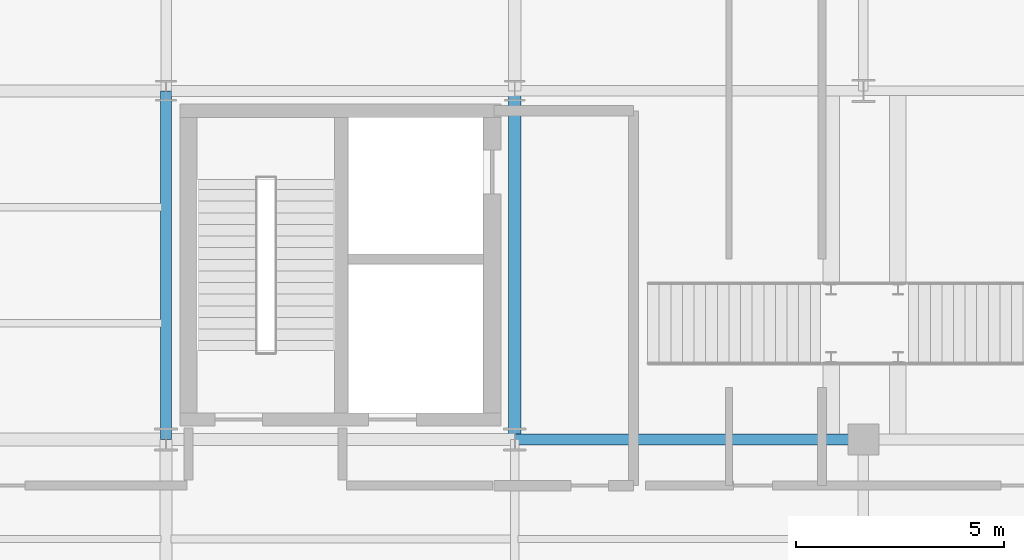
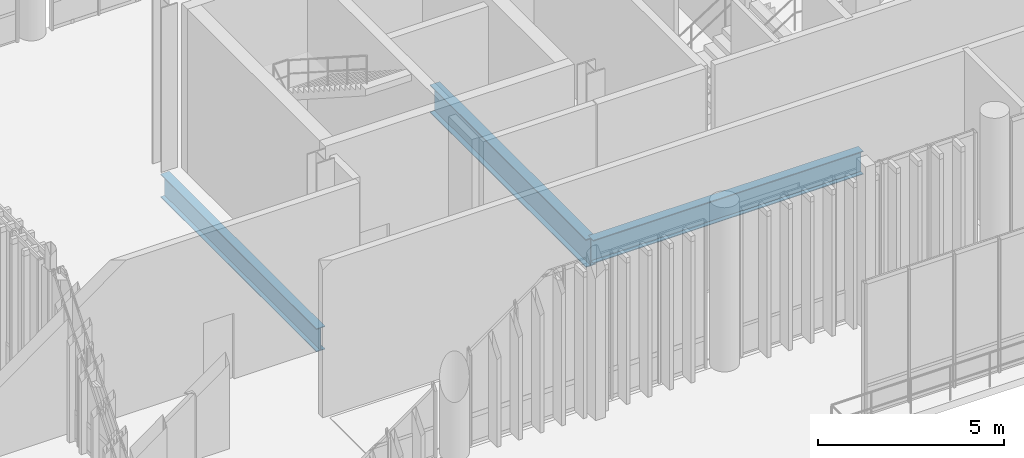
# One storey, part 41 of 128: 3 beams.
"""IFC4 building model written with IfcOpenShell, lengths in metres."""

import ifcopenshell
import ifcopenshell.guid

model = None  # the IFC model being written
_history = None  # IfcOwnerHistory: only IFC2X3 demands one
_inside = {}  # id of a spatial element -> (the spatial element, [elements in it])
_under = {}  # id of a project, library or spatial element -> (it, [spatial elements below it])
_declared = {}  # id of a project -> (the project, [libraries it declares])
_typed = {}  # id of a type object -> (the type object, [elements of that type])
_made_of = {}  # id of a material, layer set ... -> (it, [elements and type objects made of it])


def new_model(schema):
    """Start an empty IFC model of exactly this schema.

    Asked for "IFC4X3", IfcOpenShell would pick the latest addendum, in which some entities
    have other attributes; the version numbers below select the first issue.
    IFC2X3 requires an IfcOwnerHistory on every rooted entity: one is made here for all.
    """
    global model, _history
    if schema == "IFC4X3":
        model = ifcopenshell.file(schema_version=(4, 3, 0, 0))
    else:
        model = ifcopenshell.file(schema=schema)
    _inside.clear()
    _under.clear()
    _declared.clear()
    _typed.clear()
    _made_of.clear()
    _history = None
    if model.schema == "IFC2X3":
        org = make("IfcOrganization", Name="unknown")
        user = make(
            "IfcPersonAndOrganization",
            ThePerson=make("IfcPerson", FamilyName="unknown"),
            TheOrganization=org,
        )
        app = make(
            "IfcApplication",
            ApplicationDeveloper=org,
            Version="unknown",
            ApplicationFullName="unknown",
            ApplicationIdentifier="unknown",
        )
        _history = make(
            "IfcOwnerHistory",
            OwningUser=user,
            OwningApplication=app,
            ChangeAction="ADDED",
            CreationDate=0,
        )
    return model


def make(cls, **values):
    """One entity of the class cls with the attributes given. An attribute that is None is left unset."""
    return model.create_entity(
        cls, **{name: value for name, value in values.items() if value is not None}
    )


def rooted(cls, **values):
    """An entity with a GlobalId (a new one), such as an element, a storey or a relation."""
    return make(cls, GlobalId=ifcopenshell.guid.new(), OwnerHistory=_history, **values)


def si_unit(unit_type, name, prefix=None):
    """IfcSIUnit, for example si_unit("LENGTHUNIT", "METRE", prefix="MILLI")."""
    return make("IfcSIUnit", UnitType=unit_type, Prefix=prefix, Name=name)


def assignment(units):
    """IfcUnitAssignment: the units of a project."""
    return None if units is None else make("IfcUnitAssignment", Units=units)


def point(xyz):
    """IfcCartesianPoint."""
    return None if xyz is None else make("IfcCartesianPoint", Coordinates=xyz)


def direction(xyz):
    """IfcDirection."""
    return None if xyz is None else make("IfcDirection", DirectionRatios=xyz)


def frame(location, z_axis=None, x_axis=None):
    """IfcAxis2Placement3D, a coordinate frame: its origin and axes. An axis left out is left unset."""
    return make(
        "IfcAxis2Placement3D",
        Location=point(location),
        Axis=direction(z_axis),
        RefDirection=direction(x_axis),
    )


def frame_2d(location, x_axis=None):
    """IfcAxis2Placement2D, a coordinate frame in the plane: its origin and x axis."""
    return make(
        "IfcAxis2Placement2D", Location=point(location), RefDirection=direction(x_axis)
    )


def origin_with_axes():
    """The frame at (0, 0, 0) with the z axis (0, 0, 1) and the x axis (1, 0, 0) written out."""
    return frame((0.0, 0.0, 0.0), z_axis=(0.0, 0.0, 1.0), x_axis=(1.0, 0.0, 0.0))


def origin_2d_with_axis():
    """The frame at (0, 0) in the plane with the x axis (1, 0) written out."""
    return frame_2d((0.0, 0.0), x_axis=(1.0, 0.0))


def place(relative_to, where):
    """IfcLocalPlacement: puts the frame where relative to a parent placement (None: the world)."""
    return make(
        "IfcLocalPlacement", PlacementRelTo=relative_to, RelativePlacement=where
    )


def context(
    kind, dimensions, precision=None, world=None, true_north=None, identifier=None
):
    """IfcGeometricRepresentationContext, for example the 3D "Model" context."""
    return make(
        "IfcGeometricRepresentationContext",
        ContextIdentifier=identifier,
        ContextType=kind,
        CoordinateSpaceDimension=dimensions,
        Precision=precision,
        WorldCoordinateSystem=world,
        TrueNorth=true_north,
    )


def subcontext(parent, identifier, kind, view, scale=None):
    """IfcGeometricRepresentationSubContext, for example "Body" below "Model"."""
    return make(
        "IfcGeometricRepresentationSubContext",
        ContextIdentifier=identifier,
        ContextType=kind,
        ParentContext=parent,
        TargetScale=scale,
        TargetView=view,
    )


def project(units=None, contexts=None):
    """IfcProject with its units and contexts."""
    return rooted(
        "IfcProject",
        Name="project",
        RepresentationContexts=contexts,
        UnitsInContext=assignment(units),
    )


def spatial(cls, under=None, at=None, **own):
    """A site, building, storey or space (cls), placed at a placement, below another one or the project."""
    s = rooted(cls, ObjectPlacement=at, **own)
    if under is not None:
        _under.setdefault(under.id(), (under, []))[1].append(s)
    return s


def profile(cls, at=None, kind="AREA", **sizes):
    """A parametric profile (cls). Its sizes go by their IFC names, for example OverallWidth=200.0."""
    return make(cls, ProfileType=kind, Position=at, **sizes)


def i_section(**sizes):
    """IfcIShapeProfileDef."""
    return profile("IfcIShapeProfileDef", **sizes)


def extrude(swept, where, along, depth):
    """IfcExtrudedAreaSolid: the profile swept, set in the frame where, extruded along a direction by depth."""
    return make(
        "IfcExtrudedAreaSolid",
        SweptArea=swept,
        Position=where,
        ExtrudedDirection=direction(along),
        Depth=depth,
    )


def shape(context_of_items, identifier, shape_type, items):
    """IfcShapeRepresentation: the items that make up one representation, for example the "Body"."""
    return make(
        "IfcShapeRepresentation",
        ContextOfItems=context_of_items,
        RepresentationIdentifier=identifier,
        RepresentationType=shape_type,
        Items=items,
    )


def material(Name=None, Category=None):
    """IfcMaterial."""
    return make("IfcMaterial", Name=Name, Category=Category)


def material_profile(
    of_material, cross_section, Name=None, Category=None, Priority=None
):
    """IfcMaterialProfile: a cross section and its material."""
    return make(
        "IfcMaterialProfile",
        Name=Name,
        Material=of_material,
        Profile=cross_section,
        Priority=Priority,
        Category=Category,
    )


def profile_set(profiles, Name=None, composite=None):
    """IfcMaterialProfileSet."""
    return make(
        "IfcMaterialProfileSet",
        Name=Name,
        MaterialProfiles=profiles,
        CompositeProfile=composite,
    )


def made_of(thing, what):
    """Note that an element or type object is made of a material, layer set ...; save() writes the relation."""
    if what is not None:
        _made_of.setdefault(what.id(), (what, []))[1].append(thing)
    return thing


def type_object(cls, material=None, **own):
    """A type object (cls), such as IfcWallType, which elements share."""
    return made_of(rooted(cls, **own), material)


def element(
    cls,
    number,
    at=None,
    inside=None,
    cuts=None,
    type_object=None,
    material=None,
    context=None,
    identifier="Body",
    shape_type=None,
    held_by="IfcProductDefinitionShape",
    body=None,
    shapes=None,
    **own,
):
    """One element of the class cls, such as IfcWall. Its Tag is "e" and its number.

    at: its placement. inside: the storey or other place that contains it. cuts: it is an
    opening in that element (IfcRelVoidsElement). A single representation is given by context,
    identifier, shape_type and body (its items); several are given by shapes. held_by: the class
    of the entity that holds the representations. save() writes the other relations.
    """
    e = rooted(cls, Tag="e%d" % number, ObjectPlacement=at, **own)
    if body is not None:
        shapes = [shape(context, identifier, shape_type, body)]
    if shapes is not None:
        e.Representation = make(held_by, Representations=shapes)
    if inside is not None:
        _inside.setdefault(inside.id(), (inside, []))[1].append(e)
    if cuts is not None:
        rooted(
            "IfcRelVoidsElement", RelatingBuildingElement=cuts, RelatedOpeningElement=e
        )
    if type_object is not None:
        _typed.setdefault(type_object.id(), (type_object, []))[1].append(e)
    return made_of(e, material)


def aggregate(whole, parts):
    """IfcRelAggregates: a whole, such as a stair, and the parts it consists of."""
    return rooted("IfcRelAggregates", RelatingObject=whole, RelatedObjects=parts)


def save(model, path):
    """Write the relations noted so far, then the file.

    IfcRelAggregates (storeys below a building ...), IfcRelContainedInSpatialStructure (elements
    in a storey), IfcRelDefinesByType, IfcRelAssociatesMaterial and IfcRelDeclares: one each for
    every whole, place, type object, material and project.
    """
    for whole, parts in _under.values():
        aggregate(whole, parts)
    for where, things in _inside.values():
        rooted(
            "IfcRelContainedInSpatialStructure",
            RelatedElements=things,
            RelatingStructure=where,
        )
    for kind, things in _typed.values():
        rooted("IfcRelDefinesByType", RelatedObjects=things, RelatingType=kind)
    for what, things in _made_of.values():
        rooted("IfcRelAssociatesMaterial", RelatedObjects=things, RelatingMaterial=what)
    for by, libraries in _declared.values():
        rooted("IfcRelDeclares", RelatingContext=by, RelatedDefinitions=libraries)
    model.write(path)


model = new_model("IFC4")

# Units and contexts
model_context = context("Model", 3, precision=1e-05, world=origin_with_axes(), true_north=direction((0.0, 1.0)))
body_context = subcontext(model_context, "Body", "Model", "MODEL_VIEW")
ifc_project = project(units=[si_unit("LENGTHUNIT", "METRE"), si_unit("AREAUNIT", "SQUARE_METRE"), si_unit("VOLUMEUNIT", "CUBIC_METRE"), si_unit("PLANEANGLEUNIT", "RADIAN"), si_unit("MASSUNIT", "GRAM", prefix="KILO"), si_unit("THERMODYNAMICTEMPERATUREUNIT", "KELVIN")], contexts=[model_context])

# Site, building, storey
site_placement = place(None, origin_with_axes())
site = spatial("IfcSite", under=ifc_project, at=site_placement, CompositionType="ELEMENT")
building_placement = place(site_placement, origin_with_axes())
building = spatial("IfcBuilding", under=site, at=building_placement, Name="Montbau Bow Law Courts", CompositionType="ELEMENT")
storey_placement = place(building_placement, frame((0.0, 0.0, 5.4), z_axis=(0.0, 0.0, 1.0), x_axis=(1.0, 0.0, 0.0)))
storey = spatial("IfcBuildingStorey", under=building, at=storey_placement, Name="L01", CompositionType="ELEMENT", Elevation=5.4)

# Beams
ifc_material = material(Name="Steel CSA G40.21 Grade 350W (350 MPa)", Category="steel")
ifc_material_profile_1 = material_profile(ifc_material, i_section(OverallWidth=0.306, OverallDepth=0.919, WebThickness=0.0173, FlangeThickness=0.0279, at=origin_2d_with_axis()), Name="W920X253", Category="Main", Priority=0)
ifc_profile_set_1 = profile_set([ifc_material_profile_1], Name="Steel CSA G40.21 Grade 350W (350 MPa)")
beam_type_1 = type_object("IfcBeamType", Name="B-FLR-01", PredefinedType="BEAM", material=ifc_profile_set_1)
beam_placement = place(None, frame((63.6, 46.2, 4.7), z_axis=(0.0, 1.0, 0.0), x_axis=(-1.0, 0.0, 0.0)))
element("IfcBeam", 1, at=beam_placement, inside=storey, type_object=beam_type_1, Name="BM-L01-S0827:bm2_0830", PredefinedType="BEAM", context=body_context, shape_type="SweptSolid", body=[
    extrude(i_section(OverallWidth=0.306, OverallDepth=0.919, WebThickness=0.0173, FlangeThickness=0.0279, at=origin_2d_with_axis()), origin_with_axes(), (0.0, 0.0, 1.0), 8.4),
])
ifc_material_profile_2 = material_profile(ifc_material, i_section(OverallWidth=0.267, OverallDepth=0.766, WebThickness=0.0149, FlangeThickness=0.0236, at=origin_2d_with_axis()), Name="W760X185", Category="Main", Priority=0)
ifc_profile_set_2 = profile_set([ifc_material_profile_2], Name="Steel CSA G40.21 Grade 350W (350 MPa)")
beam_type_2 = type_object("IfcBeamType", Name="B-FLR-03", PredefinedType="BEAM", material=ifc_profile_set_2)
for number, where, z_axis, x_axis, name in (
    (2, (63.6, 46.2, 4.777), (1.0, 0.0, 0.0), (0.0, 1.0, 0.0), "BM-L01-S0806:bm2_0809"),
    (3, (55.2, 46.2, 4.777), (0.0, 1.0, 0.0), (-1.0, 0.0, 0.0), "BM-L01-S0824:bm2_0827"),
):
    element("IfcBeam", number, at=place(None, frame(where, z_axis=z_axis, x_axis=x_axis)), inside=storey, type_object=beam_type_2, Name=name, PredefinedType="BEAM", context=body_context, shape_type="SweptSolid", body=[
        extrude(i_section(OverallWidth=0.267, OverallDepth=0.766, WebThickness=0.0149, FlangeThickness=0.0236, at=origin_2d_with_axis()), origin_with_axes(), (0.0, 0.0, 1.0), 8.4),
    ])

save(model, "model.ifc")
